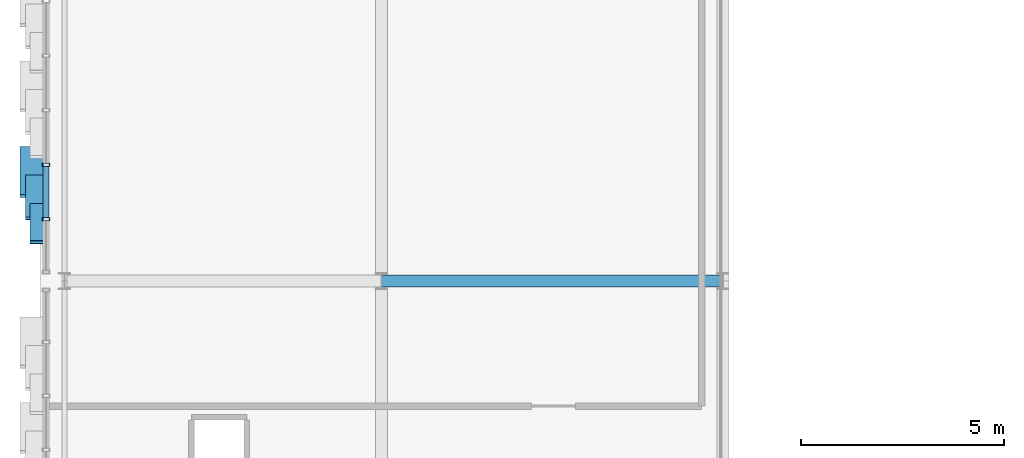
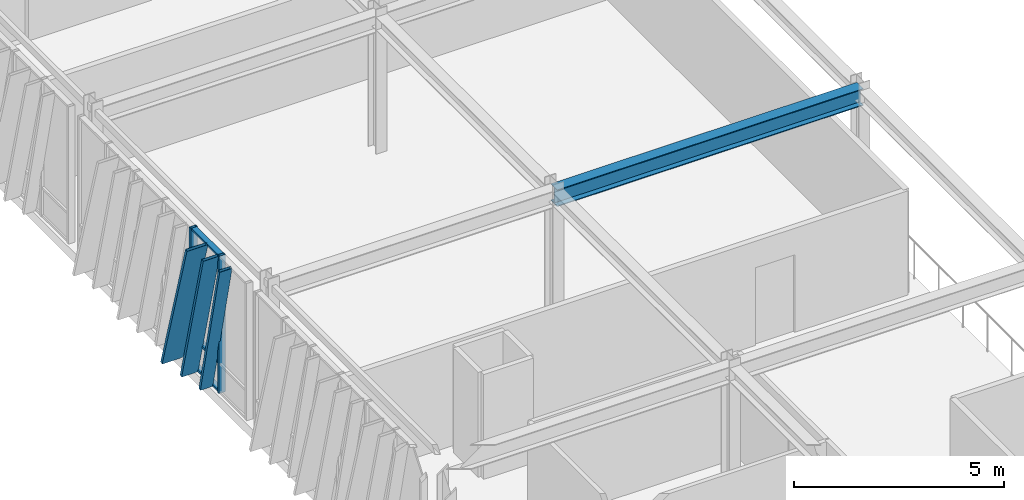
# One storey, part 37 of 123: 8 members, 1 beam, 1 element without a shape of its own.
"""IFC4 building model written with IfcOpenShell, lengths in metres."""

from ifc_helpers import new_model, si_unit, direction, frame, origin, origin_2d, place, context, subcontext, project, spatial, hollow_rectangle, i_section, extrude, material, layer, layer_set, material_profile, profile_set, type_object, element, aggregate, save


model = new_model("IFC4")

# Units and contexts
model_context = context("Model", 3, precision=1e-05, world=origin(), true_north=direction((0.0, 1.0)))
body_context = subcontext(model_context, "Body", "Model", "MODEL_VIEW")
ifc_project = project(units=[si_unit("LENGTHUNIT", "METRE"), si_unit("AREAUNIT", "SQUARE_METRE"), si_unit("VOLUMEUNIT", "CUBIC_METRE"), si_unit("PLANEANGLEUNIT", "RADIAN"), si_unit("MASSUNIT", "GRAM", prefix="KILO")], contexts=[model_context])

# Site, building, storey
site_placement = place(None, origin())
site = spatial("IfcSite", under=ifc_project, at=site_placement, CompositionType="ELEMENT")
building_placement = place(site_placement, origin())
building = spatial("IfcBuilding", under=site, at=building_placement, Name="Zayran Congress Hotel", CompositionType="ELEMENT")
storey_placement = place(building_placement, frame((0.0, 0.0, 15.0)))
storey = spatial("IfcBuildingStorey", under=building, at=storey_placement, Name="L03", CompositionType="ELEMENT", Elevation=15.0)

# Beam
ifc_material_1 = material(Name="Steel S355", Category="steel")
ifc_material_profile_1 = material_profile(ifc_material_1, i_section(OverallWidth=0.300048828125, OverallDepth=0.489990234375, WebThickness=0.011962890625, FlangeThickness=0.02294921875, at=origin_2d()), Name="HEA 500")
ifc_profile_set_1 = profile_set([ifc_material_profile_1], Name="Steel S355")
beam_type = type_object("IfcBeamType", Name="TP-BM-05", PredefinedType="BEAM", material=ifc_profile_set_1)
beam_placement = place(storey_placement, frame((16.800048828125, 92.800048828125, 3.735107421875), z_axis=(1.0, 0.0, 0.0), x_axis=(0.0, 1.0, 0.0)))
element("IfcBeam", 1, at=beam_placement, inside=storey, type_object=beam_type, Name="BM-V1-L03-0822", PredefinedType="BEAM", context=body_context, shape_type="SweptSolid", body=[
    extrude(i_section(OverallWidth=0.300048828125, OverallDepth=0.489990234375, WebThickness=0.011962890625, FlangeThickness=0.02294921875, at=origin_2d()), origin(), (0.0, 0.0, 1.0), 8.39990234375),
])

# Curtain wall, members
ifc_material_2 = material(Name="Anodised aluminium and low-E insulated glass", Category="aluminium")
ifc_layer = layer(ifc_material_2, 0.179931640625)
ifc_layer_set = layer_set([ifc_layer], Name="Anodised aluminium and low-E insulated glass")
curtain_wall_type = type_object("IfcCurtainWallType", Name="CW-V1W-L03-CW-32-8040-3980", PredefinedType="USERDEFINED", material=ifc_layer_set)
curtain_wall_placement = place(storey_placement, origin())
curtain_wall = element("IfcCurtainWall", 2, at=curtain_wall_placement, inside=storey, type_object=curtain_wall_type, Name="CW-V1W-L03-3", ObjectType="CURTAIN WALL", PredefinedType="USERDEFINED")
ifc_material_3 = material(Name="Anodised aluminium framing", Category="aluminium")
ifc_material_profile_2 = material_profile(ifc_material_3, hollow_rectangle(XDim=0.080078125, YDim=0.179931640625, WallThickness=0.0048828125, at=origin_2d()), Name="RHS 180x80x5")
ifc_profile_set_2 = profile_set([ifc_material_profile_2], Name="Anodised aluminium framing")
member_type_1 = type_object("IfcMemberType", Name="TP-CWM-01", PredefinedType="MULLION", material=ifc_profile_set_2)
member_1_placement = place(storey_placement, frame((8.550048828125, 95.659912109375, 0.0), z_axis=(0.0, 0.0, 1.0), x_axis=(0.0, 1.0, 0.0)))
member_1 = element("IfcMember", 3, at=member_1_placement, type_object=member_type_1, Name="CW-V1W-L03-3-M04", PredefinedType="MULLION", context=body_context, shape_type="SweptSolid", body=[
    extrude(hollow_rectangle(XDim=0.080078125, YDim=0.179931640625, WallThickness=0.0048828125, at=origin_2d()), origin(), (0.0, 0.0, 1.0), 3.97998046875),
])
member_2_placement = place(storey_placement, frame((8.550048828125, 94.320068359375, 0.0), z_axis=(0.0, 0.0, 1.0), x_axis=(0.0, 1.0, 0.0)))
member_2 = element("IfcMember", 4, at=member_2_placement, type_object=member_type_1, Name="CW-V1W-L03-3-M05", PredefinedType="MULLION", context=body_context, shape_type="SweptSolid", body=[
    extrude(hollow_rectangle(XDim=0.080078125, YDim=0.179931640625, WallThickness=0.0048828125, at=origin_2d()), origin(), (0.0, 0.0, 1.0), 3.97998046875),
])
ifc_material_profile_3 = material_profile(ifc_material_3, hollow_rectangle(XDim=0.06005859375, YDim=0.14990234375, WallThickness=0.00390625, at=origin_2d()), Name="RHS 150x60x4")
ifc_profile_set_3 = profile_set([ifc_material_profile_3], Name="Anodised aluminium framing")
member_type_2 = type_object("IfcMemberType", Name="TP-CWT-01", PredefinedType="USERDEFINED", material=ifc_profile_set_3)
member_3_placement = place(storey_placement, frame((8.550048828125, 95.6201171875, 0.030029296875), z_axis=(0.0, -1.0, 0.0), x_axis=(0.0, 0.0, 1.0)))
member_3 = element("IfcMember", 5, at=member_3_placement, type_object=member_type_2, Name="CW-V1W-L03-3-T04-0", ObjectType="TRANSOM", PredefinedType="USERDEFINED", context=body_context, shape_type="SweptSolid", body=[
    extrude(hollow_rectangle(XDim=0.06005859375, YDim=0.14990234375, WallThickness=0.00390625, at=origin_2d()), origin(), (0.0, 0.0, 1.0), 1.260009765625),
])
member_4_placement = place(storey_placement, frame((8.550048828125, 95.6201171875, 0.840087890625), z_axis=(0.0, -1.0, 0.0), x_axis=(0.0, 0.0, 1.0)))
member_4 = element("IfcMember", 6, at=member_4_placement, type_object=member_type_2, Name="CW-V1W-L03-3-T04-1", ObjectType="TRANSOM", PredefinedType="USERDEFINED", context=body_context, shape_type="SweptSolid", body=[
    extrude(hollow_rectangle(XDim=0.06005859375, YDim=0.14990234375, WallThickness=0.00390625, at=origin_2d()), origin(), (0.0, 0.0, 1.0), 1.260009765625),
])
member_5_placement = place(storey_placement, frame((8.550048828125, 95.6201171875, 3.949951171875), z_axis=(0.0, -1.0, 0.0), x_axis=(0.0, 0.0, 1.0)))
member_5 = element("IfcMember", 7, at=member_5_placement, type_object=member_type_2, Name="CW-V1W-L03-3-T04-2", ObjectType="TRANSOM", PredefinedType="USERDEFINED", context=body_context, shape_type="SweptSolid", body=[
    extrude(hollow_rectangle(XDim=0.06005859375, YDim=0.14990234375, WallThickness=0.00390625, at=origin_2d()), origin(), (0.0, 0.0, 1.0), 1.260009765625),
])
ifc_material_4 = material(Name="Warm bronze anodised aluminium", Category="aluminium")
ifc_material_profile_4 = material_profile(ifc_material_4, hollow_rectangle(XDim=0.080078125, YDim=0.580078125, WallThickness=0.006103515625, at=origin_2d()), Name="RHS 580x80x6")
ifc_profile_set_4 = profile_set([ifc_material_profile_4], Name="Warm bronze anodised aluminium")
member_type_3 = type_object("IfcMemberType", Name="TP-RFN-01", PredefinedType="MULLION", material=ifc_profile_set_4)
member_6_placement = place(storey_placement, frame((8.199951171875, 96.070068359375, 0.0), z_axis=(0.0, -0.284022244508, 0.958817691026), x_axis=(0.0, 0.958817691026, 0.284022244508)))
member_6 = element("IfcMember", 8, at=member_6_placement, type_object=member_type_3, Name="Slanting Reed Mullion CW-32-07", PredefinedType="MULLION", context=body_context, shape_type="SweptSolid", body=[
    extrude(hollow_rectangle(XDim=0.080078125, YDim=0.580078125, WallThickness=0.006103515625, at=origin_2d()), origin(), (0.0, 0.0, 1.0), 4.15087890625),
])
ifc_material_profile_5 = material_profile(ifc_material_4, hollow_rectangle(XDim=0.080078125, YDim=0.449951171875, WallThickness=0.006103515625, at=origin_2d()), Name="RHS 450x80x6")
ifc_profile_set_5 = profile_set([ifc_material_profile_5], Name="Warm bronze anodised aluminium")
member_type_4 = type_object("IfcMemberType", Name="TP-RFN-02", PredefinedType="MULLION", material=ifc_profile_set_5)
member_7_placement = place(storey_placement, frame((8.264892578125, 95.3701171875, 0.0), z_axis=(0.0, -0.250380902481, 0.968147408029), x_axis=(0.0, 0.968147408029, 0.250380902481)))
member_7 = element("IfcMember", 9, at=member_7_placement, type_object=member_type_4, Name="Slanting Reed Mullion CW-32-08", PredefinedType="MULLION", context=body_context, shape_type="SweptSolid", body=[
    extrude(hollow_rectangle(XDim=0.080078125, YDim=0.449951171875, WallThickness=0.006103515625, at=origin_2d()), origin(), (0.0, 0.0, 1.0), 4.11083984375),
])
ifc_material_profile_6 = material_profile(ifc_material_4, hollow_rectangle(XDim=0.080078125, YDim=0.340087890625, WallThickness=0.006103515625, at=origin_2d()), Name="RHS 340x80x6")
ifc_profile_set_6 = profile_set([ifc_material_profile_6], Name="Warm bronze anodised aluminium")
member_type_5 = type_object("IfcMemberType", Name="TP-RFN-03", PredefinedType="MULLION", material=ifc_profile_set_6)
member_8_placement = place(storey_placement, frame((8.320068359375, 94.669921875, 0.0), z_axis=(0.0, -0.224916254679, 0.974378098266), x_axis=(0.0, 0.974378098266, 0.224916254679)))
member_8 = element("IfcMember", 10, at=member_8_placement, type_object=member_type_5, Name="Slanting Reed Mullion CW-32-09", PredefinedType="MULLION", context=body_context, shape_type="SweptSolid", body=[
    extrude(hollow_rectangle(XDim=0.080078125, YDim=0.340087890625, WallThickness=0.006103515625, at=origin_2d()), origin(), (0.0, 0.0, 1.0), 4.084716796875),
])
aggregate(curtain_wall, [member_1, member_2, member_3, member_4, member_5, member_6, member_7, member_8])

save(model, "model.ifc")
